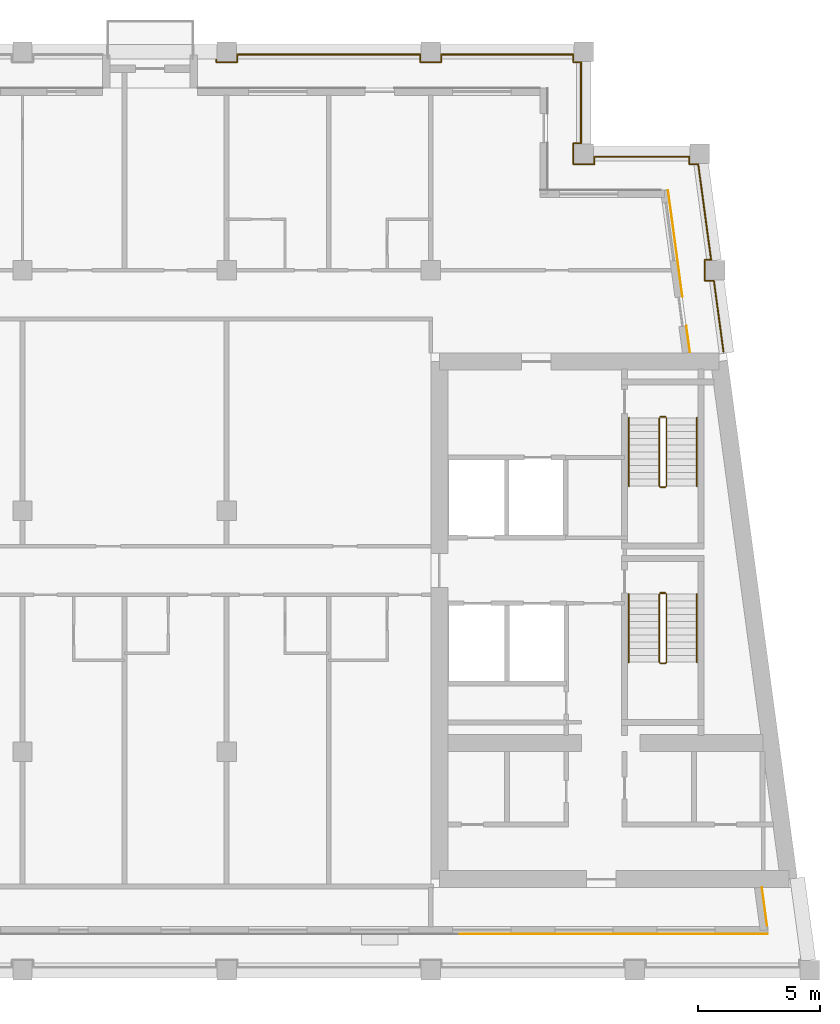
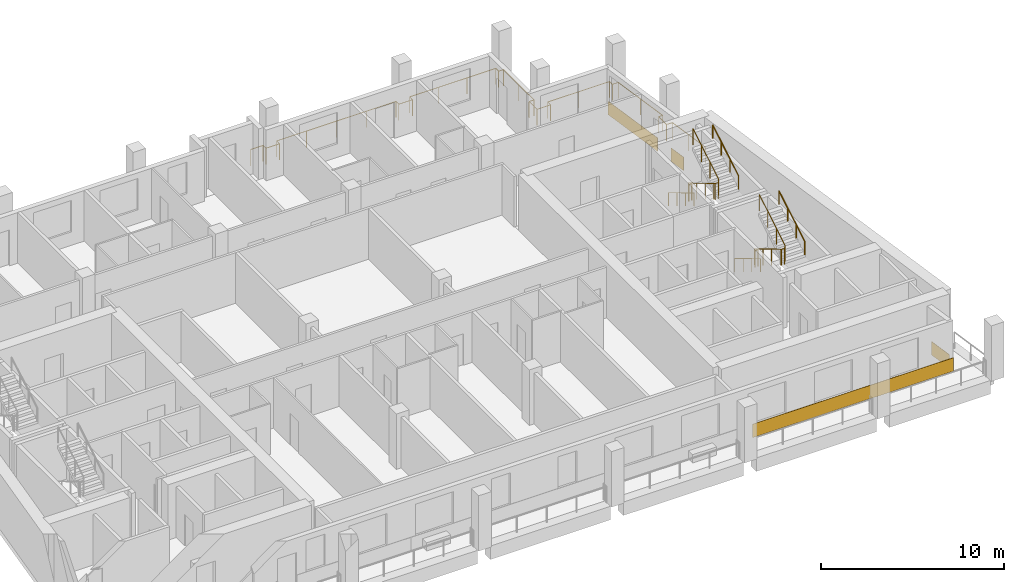
# One storey, part 11 of 13: 9 railings, 4 coverings.
"""IFC4 building model written with IfcOpenShell, lengths in metres."""

from ifc_helpers import new_model, si_unit, direction, frame, origin, origin_2d, place, context, subcontext, project, spatial, rectangle, circle, extrude, material, layer, layer_set, type_object, element, save


model = new_model("IFC4")

# Units and contexts
model_context = context("Model", 3, precision=1e-05, world=origin(), true_north=direction((0.0, 1.0)))
body_context = subcontext(model_context, "Body", "Model", "MODEL_VIEW")
ifc_project = project(units=[si_unit("LENGTHUNIT", "METRE"), si_unit("AREAUNIT", "SQUARE_METRE"), si_unit("VOLUMEUNIT", "CUBIC_METRE"), si_unit("PLANEANGLEUNIT", "RADIAN"), si_unit("MASSUNIT", "GRAM", prefix="KILO")], contexts=[model_context])

# Site, building, storey
site_placement = place(None, origin())
site = spatial("IfcSite", under=ifc_project, at=site_placement, CompositionType="ELEMENT")
building_placement = place(site_placement, origin())
building = spatial("IfcBuilding", under=site, at=building_placement, Name="Candeia Pilgrim Tower and Theatre", CompositionType="ELEMENT")
storey_placement = place(building_placement, frame((0.0, 0.0, 277.5)))
storey = spatial("IfcBuildingStorey", under=building, at=storey_placement, Name="L67", CompositionType="ELEMENT", Elevation=277.5)

# Railing
ifc_material_1 = material(Name="Stainless steel balustrade", Category="steel")
railing_type_1 = type_object("IfcRailingType", Name="G1 loggia guard 1100", PredefinedType="GUARDRAIL", material=ifc_material_1)
railing_1_placement = place(storey_placement, frame((116.39990234375, 144.679931640625, 0.0)))
element("IfcRailing", 1, at=railing_1_placement, inside=storey, type_object=railing_type_1, Name="Guard L67.2", PredefinedType="GUARDRAIL", context=body_context, shape_type="SweptSolid", body=[
    extrude(circle(Radius=0.02392578125, at=origin_2d()), frame((0.0, 0.0, 1.076171875), z_axis=(1.0, 0.0, 0.0), x_axis=(0.0, 1.0, 0.0)), (0.0, 0.0, 1.0), 0.77001953125),
    extrude(circle(Radius=0.02392578125, at=origin_2d()), frame((0.77001953125, 0.0, 1.076171875), z_axis=(0.0, -1.0, 0.0), x_axis=(1.0, 0.0, 0.0)), (0.0, 0.0, 1.0), 0.309814453125),
    extrude(circle(Radius=0.02392578125, at=origin_2d()), frame((0.77001953125, -0.309814453125, 1.076171875), z_axis=(1.0, 0.0, 0.0), x_axis=(0.0, 1.0, 0.0)), (0.0, 0.0, 1.0), 0.860107421875),
    extrude(circle(Radius=0.02392578125, at=origin_2d()), frame((1.630126953125, -0.309814453125, 1.076171875), z_axis=(0.0, 1.0, 0.0), x_axis=(-1.0, 0.0, 0.0)), (0.0, 0.0, 1.0), 0.309814453125),
    extrude(circle(Radius=0.02392578125, at=origin_2d()), frame((1.630126953125, 0.0, 1.076171875), z_axis=(1.0, 0.0, 0.0), x_axis=(0.0, 1.0, 0.0)), (0.0, 0.0, 1.0), 7.5400390625),
    extrude(circle(Radius=0.02392578125, at=origin_2d()), frame((9.170166015625, 0.0, 1.076171875), z_axis=(0.0, -1.0, 0.0), x_axis=(1.0, 0.0, 0.0)), (0.0, 0.0, 1.0), 0.309814453125),
    extrude(circle(Radius=0.02392578125, at=origin_2d()), frame((9.170166015625, -0.309814453125, 1.076171875), z_axis=(1.0, 0.0, 0.0), x_axis=(0.0, 1.0, 0.0)), (0.0, 0.0, 1.0), 0.85986328125),
    extrude(circle(Radius=0.02392578125, at=origin_2d()), frame((10.030029296875, -0.309814453125, 1.076171875), z_axis=(0.0, 1.0, 0.0), x_axis=(-1.0, 0.0, 0.0)), (0.0, 0.0, 1.0), 0.309814453125),
    extrude(circle(Radius=0.02392578125, at=origin_2d()), frame((10.030029296875, 0.0, 1.076171875), z_axis=(1.0, 0.0, 0.0), x_axis=(0.0, 1.0, 0.0)), (0.0, 0.0, 1.0), 5.440185546875),
    extrude(circle(Radius=0.02392578125, at=origin_2d()), frame((15.47021484375, 0.0, 1.076171875), z_axis=(0.0, -1.0, 0.0), x_axis=(1.0, 0.0, 0.0)), (0.0, 0.0, 1.0), 0.309814453125),
    extrude(circle(Radius=0.02392578125, at=origin_2d()), frame((15.47021484375, -0.309814453125, 1.076171875), z_axis=(1.0, 0.0, 0.0), x_axis=(0.0, 1.0, 0.0)), (0.0, 0.0, 1.0), 0.309814453125),
    extrude(circle(Radius=0.02392578125, at=origin_2d()), frame((15.780029296875, -0.309814453125, 1.076171875), z_axis=(0.0, -1.0, 0.0), x_axis=(1.0, 0.0, 0.0)), (0.0, 0.0, 1.0), 3.340087890625),
    extrude(circle(Radius=0.02392578125, at=origin_2d()), frame((15.780029296875, -3.64990234375, 1.076171875), z_axis=(-1.0, 0.0, 0.0), x_axis=(0.0, -1.0, 0.0)), (0.0, 0.0, 1.0), 0.309814453125),
    extrude(circle(Radius=0.02392578125, at=origin_2d()), frame((15.47021484375, -3.64990234375, 1.076171875), z_axis=(0.0, -1.0, 0.0), x_axis=(1.0, 0.0, 0.0)), (0.0, 0.0, 1.0), 0.860107421875),
    extrude(circle(Radius=0.02392578125, at=origin_2d()), frame((15.47021484375, -4.510009765625, 1.076171875), z_axis=(1.0, 0.0, 0.0), x_axis=(0.0, 1.0, 0.0)), (0.0, 0.0, 1.0), 0.85986328125),
    extrude(circle(Radius=0.02392578125, at=origin_2d()), frame((16.330078125, -4.510009765625, 1.076171875), z_axis=(0.0, 1.0, 0.0), x_axis=(-1.0, 0.0, 0.0)), (0.0, 0.0, 1.0), 0.31005859375),
    extrude(circle(Radius=0.02392578125, at=origin_2d()), frame((16.330078125, -4.199951171875, 1.076171875), z_axis=(1.0, 0.0, 0.0), x_axis=(0.0, 1.0, 0.0)), (0.0, 0.0, 1.0), 3.905517578125),
    extrude(circle(Radius=0.02392578125, at=origin_2d()), frame((20.235595703125, -4.199951171875, 1.076171875), z_axis=(0.0, -1.0, 0.0), x_axis=(1.0, 0.0, 0.0)), (0.0, 0.0, 1.0), 0.31005859375),
    extrude(circle(Radius=0.02392578125, at=origin_2d()), frame((20.235595703125, -4.510009765625, 1.076171875), z_axis=(1.0, 0.0, 0.0), x_axis=(0.0, 1.0, 0.0)), (0.0, 0.0, 1.0), 0.36669921875),
    extrude(circle(Radius=0.02392578125, at=origin_2d()), frame((20.602294921875, -4.510009765625, 1.076171875), z_axis=(0.133386492616, -0.991064096609, 0.0), x_axis=(0.991064096609, 0.133386492616, 0.0)), (0.0, 0.0, 1.0), 3.9755859375),
    extrude(circle(Radius=0.02392578125, at=origin_2d()), frame((21.132568359375, -8.449951171875, 1.076171875), z_axis=(-1.0, 0.0, 0.0), x_axis=(0.0, -1.0, 0.0)), (0.0, 0.0, 1.0), 0.2509765625),
    extrude(circle(Radius=0.02392578125, at=origin_2d()), frame((20.881591796875, -8.449951171875, 1.076171875), z_axis=(0.0, -1.0, 0.0), x_axis=(1.0, 0.0, 0.0)), (0.0, 0.0, 1.0), 0.85986328125),
    extrude(circle(Radius=0.02392578125, at=origin_2d()), frame((20.881591796875, -9.309814453125, 1.076171875), z_axis=(1.0, 0.0, 0.0), x_axis=(0.0, 1.0, 0.0)), (0.0, 0.0, 1.0), 0.366943359375),
    extrude(circle(Radius=0.02392578125, at=origin_2d()), frame((21.24853515625, -9.309814453125, 1.076171875), z_axis=(0.133401056725, -0.991062136329, 0.0), x_axis=(0.991062136329, 0.133401056725, 0.0)), (0.0, 0.0, 1.0), 2.946533203125),
    extrude(circle(Radius=0.02099609375, at=origin_2d()), origin(), (0.0, 0.0, 1.0), 1.052001953125),
    extrude(circle(Radius=0.02099609375, at=origin_2d()), frame((0.77001953125, 0.0, 0.0)), (0.0, 0.0, 1.0), 1.052001953125),
    extrude(circle(Radius=0.02099609375, at=origin_2d()), frame((0.77001953125, -0.309814453125, 0.0)), (0.0, 0.0, 1.0), 1.052001953125),
    extrude(circle(Radius=0.02099609375, at=origin_2d()), frame((1.630126953125, -0.309814453125, 0.0)), (0.0, 0.0, 1.0), 1.052001953125),
    extrude(circle(Radius=0.02099609375, at=origin_2d()), frame((1.630126953125, 0.0, 0.0)), (0.0, 0.0, 1.0), 1.052001953125),
    extrude(circle(Radius=0.02099609375, at=origin_2d()), frame((3.51513671875, 0.0, 0.0)), (0.0, 0.0, 1.0), 1.052001953125),
    extrude(circle(Radius=0.02099609375, at=origin_2d()), frame((5.400146484375, 0.0, 0.0)), (0.0, 0.0, 1.0), 1.052001953125),
    extrude(circle(Radius=0.02099609375, at=origin_2d()), frame((7.28515625, 0.0, 0.0)), (0.0, 0.0, 1.0), 1.052001953125),
    extrude(circle(Radius=0.02099609375, at=origin_2d()), frame((9.170166015625, 0.0, 0.0)), (0.0, 0.0, 1.0), 1.052001953125),
    extrude(circle(Radius=0.02099609375, at=origin_2d()), frame((9.170166015625, -0.309814453125, 0.0)), (0.0, 0.0, 1.0), 1.052001953125),
    extrude(circle(Radius=0.02099609375, at=origin_2d()), frame((10.030029296875, -0.309814453125, 0.0)), (0.0, 0.0, 1.0), 1.052001953125),
    extrude(circle(Radius=0.02099609375, at=origin_2d()), frame((10.030029296875, 0.0, 0.0)), (0.0, 0.0, 1.0), 1.052001953125),
    extrude(circle(Radius=0.02099609375, at=origin_2d()), frame((11.843505859375, 0.0, 0.0)), (0.0, 0.0, 1.0), 1.052001953125),
    extrude(circle(Radius=0.02099609375, at=origin_2d()), frame((13.65673828125, 0.0, 0.0)), (0.0, 0.0, 1.0), 1.052001953125),
    extrude(circle(Radius=0.02099609375, at=origin_2d()), frame((15.47021484375, 0.0, 0.0)), (0.0, 0.0, 1.0), 1.052001953125),
    extrude(circle(Radius=0.02099609375, at=origin_2d()), frame((15.47021484375, -0.309814453125, 0.0)), (0.0, 0.0, 1.0), 1.052001953125),
    extrude(circle(Radius=0.02099609375, at=origin_2d()), frame((15.780029296875, -0.309814453125, 0.0)), (0.0, 0.0, 1.0), 1.052001953125),
    extrude(circle(Radius=0.02099609375, at=origin_2d()), frame((15.780029296875, -1.97998046875, 0.0)), (0.0, 0.0, 1.0), 1.052001953125),
    extrude(circle(Radius=0.02099609375, at=origin_2d()), frame((15.780029296875, -3.64990234375, 0.0)), (0.0, 0.0, 1.0), 1.052001953125),
    extrude(circle(Radius=0.02099609375, at=origin_2d()), frame((15.47021484375, -3.64990234375, 0.0)), (0.0, 0.0, 1.0), 1.052001953125),
    extrude(circle(Radius=0.02099609375, at=origin_2d()), frame((15.47021484375, -4.510009765625, 0.0)), (0.0, 0.0, 1.0), 1.052001953125),
    extrude(circle(Radius=0.02099609375, at=origin_2d()), frame((16.330078125, -4.510009765625, 0.0)), (0.0, 0.0, 1.0), 1.052001953125),
    extrude(circle(Radius=0.02099609375, at=origin_2d()), frame((16.330078125, -4.199951171875, 0.0)), (0.0, 0.0, 1.0), 1.052001953125),
    extrude(circle(Radius=0.02099609375, at=origin_2d()), frame((18.28271484375, -4.199951171875, 0.0)), (0.0, 0.0, 1.0), 1.052001953125),
    extrude(circle(Radius=0.02099609375, at=origin_2d()), frame((20.235595703125, -4.199951171875, 0.0)), (0.0, 0.0, 1.0), 1.052001953125),
    extrude(circle(Radius=0.02099609375, at=origin_2d()), frame((20.235595703125, -4.510009765625, 0.0)), (0.0, 0.0, 1.0), 1.052001953125),
    extrude(circle(Radius=0.02099609375, at=origin_2d()), frame((20.602294921875, -4.510009765625, 0.0)), (0.0, 0.0, 1.0), 1.052001953125),
    extrude(circle(Radius=0.02099609375, at=origin_2d()), frame((20.867431640625, -6.47998046875, 0.0)), (0.0, 0.0, 1.0), 1.052001953125),
    extrude(circle(Radius=0.02099609375, at=origin_2d()), frame((21.132568359375, -8.449951171875, 0.0)), (0.0, 0.0, 1.0), 1.052001953125),
    extrude(circle(Radius=0.02099609375, at=origin_2d()), frame((20.881591796875, -8.449951171875, 0.0)), (0.0, 0.0, 1.0), 1.052001953125),
    extrude(circle(Radius=0.02099609375, at=origin_2d()), frame((20.881591796875, -9.309814453125, 0.0)), (0.0, 0.0, 1.0), 1.052001953125),
    extrude(circle(Radius=0.02099609375, at=origin_2d()), frame((21.24853515625, -9.309814453125, 0.0)), (0.0, 0.0, 1.0), 1.052001953125),
    extrude(circle(Radius=0.02099609375, at=origin_2d()), frame((21.445068359375, -10.77001953125, 0.0)), (0.0, 0.0, 1.0), 1.052001953125),
    extrude(circle(Radius=0.02099609375, at=origin_2d()), frame((21.6416015625, -12.22998046875, 0.0)), (0.0, 0.0, 1.0), 1.052001953125),
])

# Coverings
ifc_material_2 = material(Name="Glazed ceramic tile bottle green")
ifc_layer_1 = layer(ifc_material_2, 0.02001953125)
ifc_layer_set_1 = layer_set([ifc_layer_1], Name="Glazed ceramic tile bottle green")
covering_type_1 = type_object("IfcCoveringType", Name="Glazed ceramic tile bottle green", PredefinedType="CLADDING", material=ifc_layer_set_1)
covering_1_placement = place(storey_placement, frame((133.53662109375, 108.489990234375, 0.0), z_axis=(0.0, 0.0, 1.0), x_axis=(1.0, 0.0, 0.0)))
element("IfcCovering", 2, at=covering_1_placement, inside=storey, type_object=covering_type_1, Name="Tile cladding bottle green L67", PredefinedType="CLADDING", context=body_context, shape_type="SweptSolid", body=[
    extrude(rectangle(XDim=12.673095703125, YDim=0.02001953125, at=origin_2d()), origin(), (0.0, 0.0, 1.0), 0.89990234375),
])
covering_2_placement = place(storey_placement, frame((139.73095703125, 109.630615234375, 0.0), z_axis=(0.0, 0.0, 1.0), x_axis=(-0.133412012145, 0.991060661622, 0.0)))
element("IfcCovering", 3, at=covering_2_placement, inside=storey, type_object=covering_type_1, Name="Tile cladding bottle green L67", PredefinedType="CLADDING", context=body_context, shape_type="SweptSolid", body=[
    extrude(rectangle(XDim=1.595703125, YDim=0.02001953125, at=origin_2d()), origin(), (0.0, 0.0, 1.0), 0.89990234375),
])
ifc_material_3 = material(Name="Glazed ceramic tile rust")
ifc_layer_2 = layer(ifc_material_3, 0.02001953125)
ifc_layer_set_2 = layer_set([ifc_layer_2], Name="Glazed ceramic tile rust")
covering_type_2 = type_object("IfcCoveringType", Name="Glazed ceramic tile rust", PredefinedType="CLADDING", material=ifc_layer_set_2)
covering_3_placement = place(storey_placement, frame((136.588623046875, 132.97412109375, 0.0), z_axis=(0.0, 0.0, 1.0), x_axis=(-0.133412012145, 0.991060661622, 0.0)))
element("IfcCovering", 4, at=covering_3_placement, inside=storey, type_object=covering_type_2, Name="Tile cladding rust L67", PredefinedType="CLADDING", context=body_context, shape_type="SweptSolid", body=[
    extrude(rectangle(XDim=1.115234375, YDim=0.02001953125, at=origin_2d()), origin(), (0.0, 0.0, 1.0), 0.89990234375),
])
covering_4_placement = place(storey_placement, frame((136.058837890625, 136.90869140625, 0.0), z_axis=(0.0, 0.0, 1.0), x_axis=(-0.133412012145, 0.991060661622, 0.0)))
element("IfcCovering", 5, at=covering_4_placement, inside=storey, type_object=covering_type_2, Name="Tile cladding rust L67", PredefinedType="CLADDING", context=body_context, shape_type="SweptSolid", body=[
    extrude(rectangle(XDim=4.4248046875, YDim=0.02001953125, at=origin_2d()), origin(), (0.0, 0.0, 1.0), 0.89990234375),
])

# Railings
railing_type_2 = type_object("IfcRailingType", Name="RL-GUARD-1100", PredefinedType="GUARDRAIL", material=ifc_material_1)
railing_2_placement = place(storey_placement, frame((135.39794921875, 122.47509765625, 0.168212890625)))
element("IfcRailing", 6, at=railing_2_placement, inside=storey, type_object=railing_type_2, Name="L67 ST3 stair guard 1", PredefinedType="GUARDRAIL", context=body_context, shape_type="SweptSolid", body=[
    extrude(circle(Radius=0.02392578125, at=origin_2d()), frame((0.0, 0.0, 1.076171875), z_axis=(0.0, -0.857242210791, 0.514913383045), x_axis=(1.0, 0.0, 0.0)), (0.0, 0.0, 1.0), 3.266357421875),
    extrude(circle(Radius=0.02392578125, at=origin_2d()), frame((0.0, -2.800048828125, 2.7578125), z_axis=(0.707106781187, -0.707106781187, 0.0), x_axis=(0.707106781187, 0.707106781187, 0.0)), (0.0, 0.0, 1.0), 0.07080078125),
    extrude(circle(Radius=0.02392578125, at=origin_2d()), frame((0.050048828125, -2.85009765625, 2.7578125), z_axis=(1.0, 0.0, 0.0), x_axis=(0.0, 1.0, 0.0)), (0.0, 0.0, 1.0), 0.199951171875),
    extrude(circle(Radius=0.02392578125, at=origin_2d()), frame((0.25, -2.85009765625, 2.7578125), z_axis=(0.274582412415, 0.274582412415, 0.921525364591), x_axis=(-0.707106781187, 0.707106781187, 0.0)), (0.0, 0.0, 1.0), 0.182373046875),
    extrude(circle(Radius=0.02392578125, at=origin_2d()), frame((0.300048828125, -2.800048828125, 2.92578125), z_axis=(0.0, 0.857242210791, 0.514913383045), x_axis=(-1.0, 0.0, 0.0)), (0.0, 0.0, 1.0), 3.266357421875),
    extrude(circle(Radius=0.02099609375, at=origin_2d()), origin(), (0.0, 0.0, 1.0), 1.052001953125),
    extrude(circle(Radius=0.02099609375, at=origin_2d()), frame((0.0, -0.933349609375, 0.560546875)), (0.0, 0.0, 1.0), 1.052001953125),
    extrude(circle(Radius=0.02099609375, at=origin_2d()), frame((0.0, -1.86669921875, 1.121337890625)), (0.0, 0.0, 1.0), 1.052001953125),
    extrude(circle(Radius=0.02099609375, at=origin_2d()), frame((0.0, -2.800048828125, 1.681884765625)), (0.0, 0.0, 1.0), 1.052001953125),
    extrude(circle(Radius=0.02099609375, at=origin_2d()), frame((0.050048828125, -2.85009765625, 1.681884765625)), (0.0, 0.0, 1.0), 1.052001953125),
    extrude(circle(Radius=0.02099609375, at=origin_2d()), frame((0.25, -2.85009765625, 1.681884765625)), (0.0, 0.0, 1.0), 1.052001953125),
    extrude(circle(Radius=0.02099609375, at=origin_2d()), frame((0.300048828125, -2.800048828125, 1.849853515625)), (0.0, 0.0, 1.0), 1.052001953125),
    extrude(circle(Radius=0.02099609375, at=origin_2d()), frame((0.300048828125, -1.86669921875, 2.410400390625)), (0.0, 0.0, 1.0), 1.052001953125),
    extrude(circle(Radius=0.02099609375, at=origin_2d()), frame((0.300048828125, -0.933349609375, 2.97119140625)), (0.0, 0.0, 1.0), 1.052001953125),
    extrude(circle(Radius=0.02099609375, at=origin_2d()), frame((0.300048828125, 0.0, 3.53173828125)), (0.0, 0.0, 1.0), 1.052001953125),
])
railing_3_placement = place(storey_placement, frame((135.447998046875, 122.52490234375, 0.0)))
element("IfcRailing", 7, at=railing_3_placement, inside=storey, type_object=railing_type_2, Name="L67 ST3 stair guard 2", PredefinedType="GUARDRAIL", context=body_context, shape_type="SweptSolid", body=[
    extrude(circle(Radius=0.02392578125, at=origin_2d()), frame((0.0, 0.0, 1.076171875), z_axis=(1.0, 0.0, 0.0), x_axis=(0.0, 1.0, 0.0)), (0.0, 0.0, 1.0), 0.199951171875),
    extrude(circle(Radius=0.02099609375, at=origin_2d()), origin(), (0.0, 0.0, 1.0), 1.052001953125),
    extrude(circle(Radius=0.02099609375, at=origin_2d()), frame((0.199951171875, 0.0, 0.0)), (0.0, 0.0, 1.0), 1.052001953125),
])
railing_4_placement = place(storey_placement, frame((135.39794921875, 129.72509765625, 0.168212890625)))
element("IfcRailing", 8, at=railing_4_placement, inside=storey, type_object=railing_type_2, Name="L67 ST4 stair guard 1", PredefinedType="GUARDRAIL", context=body_context, shape_type="SweptSolid", body=[
    extrude(circle(Radius=0.02392578125, at=origin_2d()), frame((0.0, 0.0, 1.076171875), z_axis=(0.0, -0.857242210791, 0.514913383045), x_axis=(1.0, 0.0, 0.0)), (0.0, 0.0, 1.0), 3.266357421875),
    extrude(circle(Radius=0.02392578125, at=origin_2d()), frame((0.0, -2.800048828125, 2.7578125), z_axis=(0.707106781187, -0.707106781187, 0.0), x_axis=(0.707106781187, 0.707106781187, 0.0)), (0.0, 0.0, 1.0), 0.07080078125),
    extrude(circle(Radius=0.02392578125, at=origin_2d()), frame((0.050048828125, -2.85009765625, 2.7578125), z_axis=(1.0, 0.0, 0.0), x_axis=(0.0, 1.0, 0.0)), (0.0, 0.0, 1.0), 0.199951171875),
    extrude(circle(Radius=0.02392578125, at=origin_2d()), frame((0.25, -2.85009765625, 2.7578125), z_axis=(0.274582412415, 0.274582412415, 0.921525364591), x_axis=(-0.707106781187, 0.707106781187, 0.0)), (0.0, 0.0, 1.0), 0.182373046875),
    extrude(circle(Radius=0.02392578125, at=origin_2d()), frame((0.300048828125, -2.800048828125, 2.92578125), z_axis=(0.0, 0.857242210791, 0.514913383045), x_axis=(-1.0, 0.0, 0.0)), (0.0, 0.0, 1.0), 3.266357421875),
    extrude(circle(Radius=0.02099609375, at=origin_2d()), origin(), (0.0, 0.0, 1.0), 1.052001953125),
    extrude(circle(Radius=0.02099609375, at=origin_2d()), frame((0.0, -0.933349609375, 0.560546875)), (0.0, 0.0, 1.0), 1.052001953125),
    extrude(circle(Radius=0.02099609375, at=origin_2d()), frame((0.0, -1.86669921875, 1.121337890625)), (0.0, 0.0, 1.0), 1.052001953125),
    extrude(circle(Radius=0.02099609375, at=origin_2d()), frame((0.0, -2.800048828125, 1.681884765625)), (0.0, 0.0, 1.0), 1.052001953125),
    extrude(circle(Radius=0.02099609375, at=origin_2d()), frame((0.050048828125, -2.85009765625, 1.681884765625)), (0.0, 0.0, 1.0), 1.052001953125),
    extrude(circle(Radius=0.02099609375, at=origin_2d()), frame((0.25, -2.85009765625, 1.681884765625)), (0.0, 0.0, 1.0), 1.052001953125),
    extrude(circle(Radius=0.02099609375, at=origin_2d()), frame((0.300048828125, -2.800048828125, 1.849853515625)), (0.0, 0.0, 1.0), 1.052001953125),
    extrude(circle(Radius=0.02099609375, at=origin_2d()), frame((0.300048828125, -1.86669921875, 2.410400390625)), (0.0, 0.0, 1.0), 1.052001953125),
    extrude(circle(Radius=0.02099609375, at=origin_2d()), frame((0.300048828125, -0.933349609375, 2.97119140625)), (0.0, 0.0, 1.0), 1.052001953125),
    extrude(circle(Radius=0.02099609375, at=origin_2d()), frame((0.300048828125, 0.0, 3.53173828125)), (0.0, 0.0, 1.0), 1.052001953125),
])
railing_5_placement = place(storey_placement, frame((135.447998046875, 129.77490234375, 0.0)))
element("IfcRailing", 9, at=railing_5_placement, inside=storey, type_object=railing_type_2, Name="L67 ST4 stair guard 2", PredefinedType="GUARDRAIL", context=body_context, shape_type="SweptSolid", body=[
    extrude(circle(Radius=0.02392578125, at=origin_2d()), frame((0.0, 0.0, 1.076171875), z_axis=(1.0, 0.0, 0.0), x_axis=(0.0, 1.0, 0.0)), (0.0, 0.0, 1.0), 0.199951171875),
    extrude(circle(Radius=0.02099609375, at=origin_2d()), origin(), (0.0, 0.0, 1.0), 1.052001953125),
    extrude(circle(Radius=0.02099609375, at=origin_2d()), frame((0.199951171875, 0.0, 0.0)), (0.0, 0.0, 1.0), 1.052001953125),
])
ifc_material_4 = material(Name="Stainless steel handrail", Category="steel")
railing_type_3 = type_object("IfcRailingType", Name="RL-HANDRAIL-900", PredefinedType="HANDRAIL", material=ifc_material_4)
railing_6_placement = place(storey_placement, frame((134.14794921875, 122.47509765625, 0.168212890625)))
element("IfcRailing", 10, at=railing_6_placement, inside=storey, type_object=railing_type_3, Name="L67 ST3 stair handrail 1", PredefinedType="HANDRAIL", context=body_context, shape_type="SweptSolid", body=[
    extrude(circle(Radius=0.02392578125, at=origin_2d()), frame((0.0, 0.0, 0.8759765625), z_axis=(0.0, -0.857242210791, 0.514913383045), x_axis=(1.0, 0.0, 0.0)), (0.0, 0.0, 1.0), 3.266357421875),
    extrude(circle(Radius=0.02099609375, at=origin_2d()), origin(), (0.0, 0.0, 1.0), 0.851806640625),
    extrude(circle(Radius=0.02099609375, at=origin_2d()), frame((0.0, -0.933349609375, 0.560546875)), (0.0, 0.0, 1.0), 0.851806640625),
    extrude(circle(Radius=0.02099609375, at=origin_2d()), frame((0.0, -1.86669921875, 1.121337890625)), (0.0, 0.0, 1.0), 0.851806640625),
    extrude(circle(Radius=0.02099609375, at=origin_2d()), frame((0.0, -2.800048828125, 1.681884765625)), (0.0, 0.0, 1.0), 0.851806640625),
])
railing_7_placement = place(storey_placement, frame((136.947998046875, 119.675048828125, 2.01806640625)))
element("IfcRailing", 11, at=railing_7_placement, inside=storey, type_object=railing_type_3, Name="L67 ST3 stair handrail 2", PredefinedType="HANDRAIL", context=body_context, shape_type="SweptSolid", body=[
    extrude(circle(Radius=0.02392578125, at=origin_2d()), frame((0.0, 0.0, 0.8759765625), z_axis=(0.0, 0.857242210791, 0.514913383045), x_axis=(-1.0, 0.0, 0.0)), (0.0, 0.0, 1.0), 3.266357421875),
    extrude(circle(Radius=0.02099609375, at=origin_2d()), origin(), (0.0, 0.0, 1.0), 0.851806640625),
    extrude(circle(Radius=0.02099609375, at=origin_2d()), frame((0.0, 0.933349609375, 0.560546875)), (0.0, 0.0, 1.0), 0.851806640625),
    extrude(circle(Radius=0.02099609375, at=origin_2d()), frame((0.0, 1.86669921875, 1.121337890625)), (0.0, 0.0, 1.0), 0.851806640625),
    extrude(circle(Radius=0.02099609375, at=origin_2d()), frame((0.0, 2.800048828125, 1.681884765625)), (0.0, 0.0, 1.0), 0.851806640625),
])
railing_8_placement = place(storey_placement, frame((134.14794921875, 129.72509765625, 0.168212890625)))
element("IfcRailing", 12, at=railing_8_placement, inside=storey, type_object=railing_type_3, Name="L67 ST4 stair handrail 1", PredefinedType="HANDRAIL", context=body_context, shape_type="SweptSolid", body=[
    extrude(circle(Radius=0.02392578125, at=origin_2d()), frame((0.0, 0.0, 0.8759765625), z_axis=(0.0, -0.857242210791, 0.514913383045), x_axis=(1.0, 0.0, 0.0)), (0.0, 0.0, 1.0), 3.266357421875),
    extrude(circle(Radius=0.02099609375, at=origin_2d()), origin(), (0.0, 0.0, 1.0), 0.851806640625),
    extrude(circle(Radius=0.02099609375, at=origin_2d()), frame((0.0, -0.933349609375, 0.560546875)), (0.0, 0.0, 1.0), 0.851806640625),
    extrude(circle(Radius=0.02099609375, at=origin_2d()), frame((0.0, -1.86669921875, 1.121337890625)), (0.0, 0.0, 1.0), 0.851806640625),
    extrude(circle(Radius=0.02099609375, at=origin_2d()), frame((0.0, -2.800048828125, 1.681884765625)), (0.0, 0.0, 1.0), 0.851806640625),
])
railing_9_placement = place(storey_placement, frame((136.947998046875, 126.925048828125, 2.01806640625)))
element("IfcRailing", 13, at=railing_9_placement, inside=storey, type_object=railing_type_3, Name="L67 ST4 stair handrail 2", PredefinedType="HANDRAIL", context=body_context, shape_type="SweptSolid", body=[
    extrude(circle(Radius=0.02392578125, at=origin_2d()), frame((0.0, 0.0, 0.8759765625), z_axis=(0.0, 0.857242210791, 0.514913383045), x_axis=(-1.0, 0.0, 0.0)), (0.0, 0.0, 1.0), 3.266357421875),
    extrude(circle(Radius=0.02099609375, at=origin_2d()), origin(), (0.0, 0.0, 1.0), 0.851806640625),
    extrude(circle(Radius=0.02099609375, at=origin_2d()), frame((0.0, 0.933349609375, 0.560546875)), (0.0, 0.0, 1.0), 0.851806640625),
    extrude(circle(Radius=0.02099609375, at=origin_2d()), frame((0.0, 1.86669921875, 1.121337890625)), (0.0, 0.0, 1.0), 0.851806640625),
    extrude(circle(Radius=0.02099609375, at=origin_2d()), frame((0.0, 2.800048828125, 1.681884765625)), (0.0, 0.0, 1.0), 0.851806640625),
])

save(model, "model.ifc")
